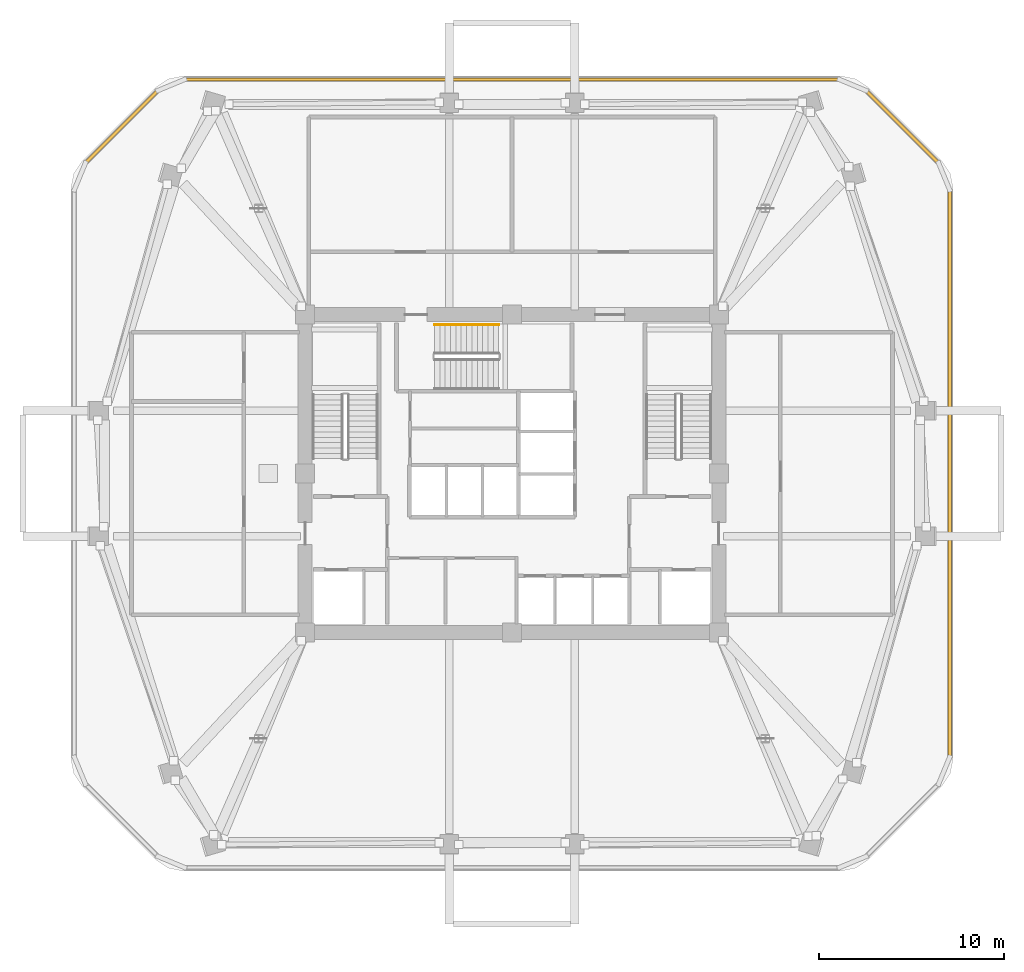
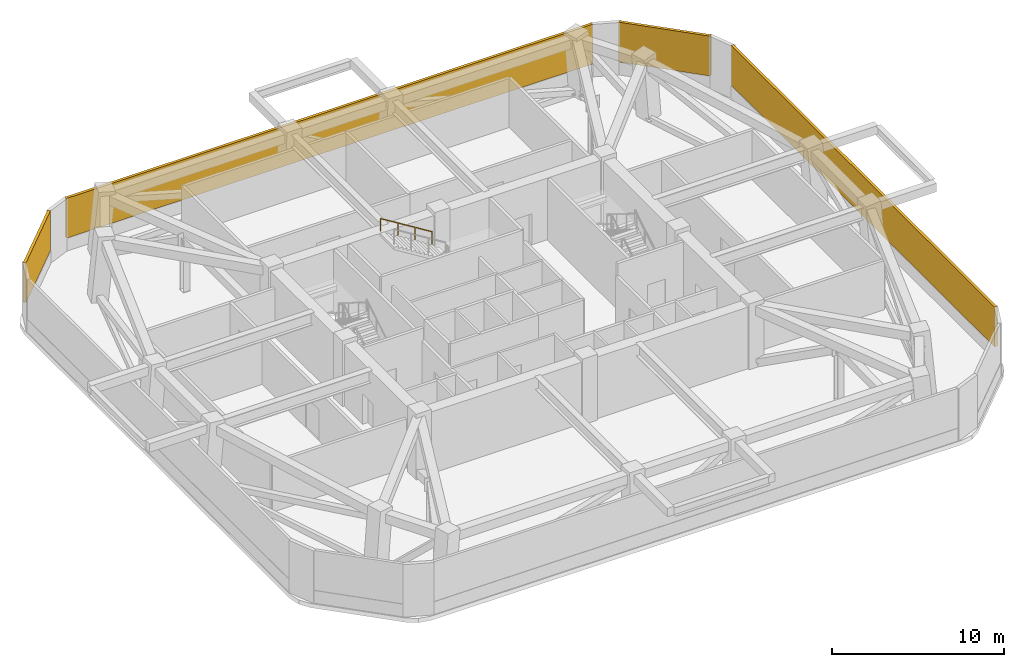
# One storey, part 8 of 8: 4 shading devices, 1 railing.
"""IFC4 building model written with IfcOpenShell, lengths in metres."""

from ifc_helpers import new_model, si_unit, derived_unit, direction, frame, origin, origin_2d, place, context, subcontext, project, spatial, rectangle, extrude, material, layer, layer_set, type_object, element, save


model = new_model("IFC4")

# Units and contexts
model_context = context("Model", 3, precision=1e-05, world=origin(), true_north=direction((0.0, 1.0)))
body_context = subcontext(model_context, "Body", "Model", "MODEL_VIEW")
ifc_project = project(units=[si_unit("LENGTHUNIT", "METRE"), si_unit("AREAUNIT", "SQUARE_METRE"), si_unit("VOLUMEUNIT", "CUBIC_METRE"), si_unit("PLANEANGLEUNIT", "RADIAN"), si_unit("MASSUNIT", "GRAM", prefix="KILO"), derived_unit("THERMALTRANSMITTANCEUNIT", [(si_unit("POWERUNIT", "WATT"), 1), (si_unit("LENGTHUNIT", "METRE"), -2), (si_unit("THERMODYNAMICTEMPERATUREUNIT", "KELVIN"), -1)])], contexts=[model_context])

# Site, building, storey
site_placement = place(None, origin())
site = spatial("IfcSite", under=ifc_project, at=site_placement, CompositionType="ELEMENT")
building_placement = place(site_placement, origin())
building = spatial("IfcBuilding", under=site, at=building_placement, Name="Koralith Skygarden Medical Center", CompositionType="ELEMENT")
storey_placement = place(building_placement, frame((0.0, 0.0, 124.3798828125)))
storey = spatial("IfcBuildingStorey", under=building, at=storey_placement, Name="L32", CompositionType="ELEMENT", Elevation=124.3798828125)

# Shading devices
ifc_material_1 = material(Name="Aluminium 6063-T6", Category="aluminium")
ifc_layer = layer(ifc_material_1, 0.179931640625)
ifc_layer_set = layer_set([ifc_layer], Name="Aluminium 6063-T6")
shading_device_type = type_object("IfcShadingDeviceType", Name="Mechanical Plant Acoustic Hurricane Louvre", PredefinedType="JALOUSIE", material=ifc_layer_set)
shading_device_1_placement = place(storey_placement, frame((60.697021484375, 25.89990234375, 0.900146484375), z_axis=(0.0, 0.0, 1.0), x_axis=(0.0, 1.0, 0.0)))
element("IfcShadingDevice", 1, at=shading_device_1_placement, inside=storey, type_object=shading_device_type, Name="L32 Plant Acoustic Hurricane Louvre E", PredefinedType="JALOUSIE", context=body_context, shape_type="SweptSolid", body=[
    extrude(rectangle(XDim=30.718994140625, YDim=0.179931640625, at=origin_2d()), origin(), (0.0, 0.0, 1.0), 2.830078125),
])
shading_device_2_placement = place(storey_placement, frame((58.135009765625, 44.672119140625, 0.900146484375), z_axis=(0.0, 0.0, 1.0), x_axis=(-0.707106781187, 0.707106781187, 0.0)))
element("IfcShadingDevice", 2, at=shading_device_2_placement, inside=storey, type_object=shading_device_type, Name="L32 Plant Acoustic Hurricane Louvre NE", PredefinedType="JALOUSIE", context=body_context, shape_type="SweptSolid", body=[
    extrude(rectangle(XDim=5.548095703125, YDim=0.179931640625, at=origin_2d()), origin(), (0.0, 0.0, 1.0), 2.830078125),
])
shading_device_3_placement = place(storey_placement, frame((37.0, 47.235107421875, 0.900146484375), z_axis=(0.0, 0.0, 1.0), x_axis=(-1.0, 0.0, 0.0)))
element("IfcShadingDevice", 3, at=shading_device_3_placement, inside=storey, type_object=shading_device_type, Name="L32 Plant Acoustic Hurricane Louvre N", PredefinedType="JALOUSIE", context=body_context, shape_type="SweptSolid", body=[
    extrude(rectangle(XDim=35.443115234375, YDim=0.179931640625, at=origin_2d()), origin(), (0.0, 0.0, 1.0), 2.830078125),
])
shading_device_4_placement = place(storey_placement, frame((15.865966796875, 44.672119140625, 0.900146484375), z_axis=(0.0, 0.0, 1.0), x_axis=(-0.707106781187, -0.707106781187, 0.0)))
element("IfcShadingDevice", 4, at=shading_device_4_placement, inside=storey, type_object=shading_device_type, Name="L32 Plant Acoustic Hurricane Louvre NW", PredefinedType="JALOUSIE", context=body_context, shape_type="SweptSolid", body=[
    extrude(rectangle(XDim=5.548095703125, YDim=0.179931640625, at=origin_2d()), origin(), (0.0, 0.0, 1.0), 2.830078125),
])

# Railing
ifc_material_2 = material(Name="Steel ASTM A500 Grade C", Category="steel")
railing_type = type_object("IfcRailingType", Name="Stair Flight Tubular Handrail 920", PredefinedType="HANDRAIL", material=ifc_material_2)
railing_placement = place(storey_placement, frame((36.280029296875, 33.949951171875, 2.52001953125)))
element("IfcRailing", 5, at=railing_placement, inside=storey, type_object=railing_type, Name="L32 ST3 stair handrail 2", PredefinedType="HANDRAIL", context=body_context, shape_type="SweptSolid", body=[
    extrude(rectangle(XDim=0.050048828125, YDim=0.050048828125, at=origin_2d()), frame((-0.001708984375, 0.0, 0.89599609375), z_axis=(-0.849621746706, 0.0, 0.527392536471), x_axis=(0.0, -1.0, 0.0)), (0.0, 0.0, 1.0), 4.091796875),
    extrude(rectangle(XDim=0.0419921875, YDim=0.0419921875, at=origin_2d()), origin(), (0.0, 0.0, 1.0), 0.867919921875),
    extrude(rectangle(XDim=0.0419921875, YDim=0.0419921875, at=origin_2d()), frame((-1.159912109375, 0.0, 0.719970703125)), (0.0, 0.0, 1.0), 0.867919921875),
    extrude(rectangle(XDim=0.0419921875, YDim=0.0419921875, at=origin_2d()), frame((-2.320068359375, 0.0, 1.440185546875)), (0.0, 0.0, 1.0), 0.867919921875),
    extrude(rectangle(XDim=0.0419921875, YDim=0.0419921875, at=origin_2d()), frame((-3.47998046875, 0.0, 2.16015625)), (0.0, 0.0, 1.0), 0.867919921875),
])

save(model, "model.ifc")
